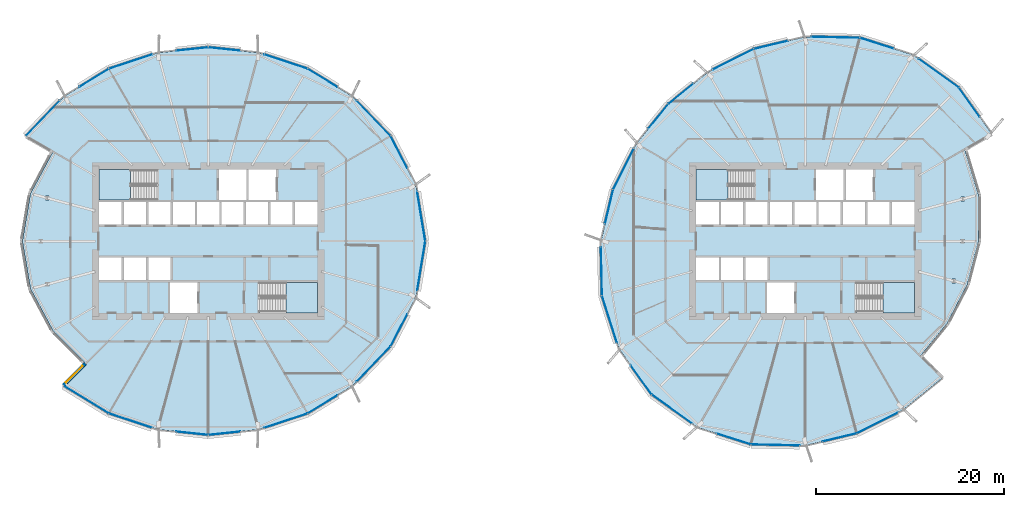
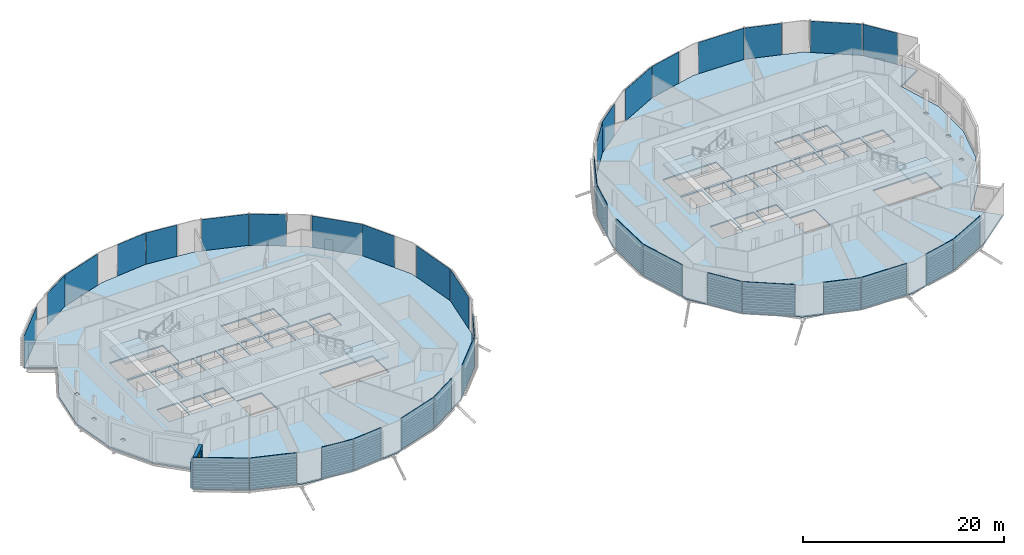
# One storey, part 19 of 38: 37 plates, 6 slabs, 1 wall, 1 window, 1 opening, 6 elements without a shape of their own.
"""IFC4 building model written with IfcOpenShell, lengths in metres."""

from ifc_helpers import new_model, si_unit, direction, frame, frame_2d, origin, origin_2d, place, context, subcontext, project, spatial, polyline, rectangle, outline, extrude, material, layer, layer_set, type_object, element, fill, aggregate, save


model = new_model("IFC4")

# Units and contexts
model_context = context("Model", 3, precision=1e-05, world=origin(), true_north=direction((0.0, 1.0)))
body_context = subcontext(model_context, "Body", "Model", "MODEL_VIEW")
ifc_project = project(units=[si_unit("LENGTHUNIT", "METRE"), si_unit("AREAUNIT", "SQUARE_METRE"), si_unit("VOLUMEUNIT", "CUBIC_METRE"), si_unit("PLANEANGLEUNIT", "RADIAN"), si_unit("MASSUNIT", "GRAM", prefix="KILO")], contexts=[model_context])

# Site, building, storey
site_placement = place(None, origin())
site = spatial("IfcSite", under=ifc_project, at=site_placement, CompositionType="ELEMENT")
building_placement = place(site_placement, origin())
building = spatial("IfcBuilding", under=site, at=building_placement, Name="Rimbun Link Towers", CompositionType="ELEMENT")
storey_placement = place(building_placement, frame((0.0, 0.0, 119.60009765625)))
storey = spatial("IfcBuildingStorey", under=building, at=storey_placement, Name="L29", CompositionType="ELEMENT", Elevation=119.60009765625)

# Slabs
ifc_material_1 = material(Name="Concrete C35/45", Category="concrete")
ifc_layer_1 = layer(ifc_material_1, 0.159912109375)
ifc_layer_set_1 = layer_set([ifc_layer_1], Name="COMPOSITE FLOOR 160")
slab_type_1 = type_object("IfcSlabType", Name="COMPOSITE FLOOR 160", PredefinedType="FLOOR", material=ifc_layer_set_1)
slab_1_placement = place(storey_placement, frame((0.0, 0.0, -0.16015625)))
element("IfcSlab", 1, at=slab_1_placement, inside=storey, type_object=slab_type_1, Name="Floor slab T1 L29", PredefinedType="FLOOR", context=body_context, shape_type="SweptSolid", body=[
    extrude(outline(polyline([(-47.115478515625, 15.365478515625), (-42.321044921875, 18.3095703125), (-37.117919921875, 20.03369140625), (-31.75, 20.59912109375), (-26.382080078125, 20.03369140625), (-21.178955078125, 18.3095703125), (-16.384521484375, 15.365478515625), (-12.37646484375, 11.185302734375), (-9.652587890625, 5.9208984375), (-8.678955078125, 0.0), (-9.652587890625, -5.9208984375), (-12.37646484375, -11.185302734375), (-16.384521484375, -15.365478515625), (-21.178955078125, -18.3095703125), (-26.382080078125, -20.03369140625), (-31.75, -20.59912109375), (-37.117919921875, -20.03369140625), (-42.321044921875, -18.3095703125), (-47.115478515625, -15.365478515625), (-44.7822265625, -13.0322265625), (-48.265625, -9.535400390625), (-50.659912109375, -5.06689453125), (-51.52099609375, 0.0), (-50.659912109375, 5.06689453125), (-48.265625, 9.535400390625), (-51.12353515625, 11.185302734375), (-47.115478515625, 15.365478515625)]), holes=[polyline([(-48.682861328125, -4.787353515625), (-48.682861328125, -4.393798828125), (-49.081787109375, -4.393798828125), (-49.081787109375, -4.787353515625), (-48.682861328125, -4.787353515625)]), polyline([(-40.95556640625, -4.14990234375), (-40.95556640625, -1.75), (-43.375, -1.75), (-43.375, -4.14990234375), (-40.95556640625, -4.14990234375)]), polyline([(-38.361083984375, -4.14990234375), (-38.361083984375, -1.75), (-40.70556640625, -1.75), (-40.70556640625, -4.14990234375), (-38.361083984375, -4.14990234375)]), polyline([(-38.111083984375, -4.14990234375), (-35.7666015625, -4.14990234375), (-35.7666015625, -1.75), (-38.111083984375, -1.75), (-38.111083984375, -4.14990234375)]), polyline([(-49.751708984375, -0.19677734375), (-49.352783203125, -0.19677734375), (-49.352783203125, 0.19677734375), (-49.751708984375, 0.19677734375), (-49.751708984375, -0.19677734375)]), polyline([(-40.95556640625, 1.75), (-40.95556640625, 4.14990234375), (-43.375, 4.14990234375), (-43.375, 1.75), (-40.95556640625, 1.75)]), polyline([(-38.361083984375, 1.75), (-38.361083984375, 4.14990234375), (-40.70556640625, 4.14990234375), (-40.70556640625, 1.75), (-38.361083984375, 1.75)]), polyline([(-35.7666015625, 1.75), (-35.7666015625, 4.14990234375), (-38.111083984375, 4.14990234375), (-38.111083984375, 1.75), (-35.7666015625, 1.75)]), polyline([(-49.081787109375, 4.393798828125), (-48.682861328125, 4.393798828125), (-48.682861328125, 4.787353515625), (-49.081787109375, 4.787353515625), (-49.081787109375, 4.393798828125)]), polyline([(-43.375, 4.39990234375), (-37.260009765625, 4.39990234375), (-37.260009765625, 7.625), (-43.375, 7.625), (-43.375, 4.39990234375)]), polyline([(-32.89990234375, -7.625), (-32.89990234375, -4.39990234375), (-35.800048828125, -4.39990234375), (-35.800048828125, -7.625), (-32.89990234375, -7.625)]), polyline([(-20.125, -7.625), (-20.125, -4.39990234375), (-26.239990234375, -4.39990234375), (-26.239990234375, -7.625), (-20.125, -7.625)]), polyline([(-33.172119140625, 1.75), (-33.172119140625, 4.14990234375), (-35.5166015625, 4.14990234375), (-35.5166015625, 1.75), (-33.172119140625, 1.75)]), polyline([(-32.922119140625, 1.75), (-30.577880859375, 1.75), (-30.577880859375, 4.14990234375), (-32.922119140625, 4.14990234375), (-32.922119140625, 1.75)]), polyline([(-30.327880859375, 1.75), (-27.9833984375, 1.75), (-27.9833984375, 4.14990234375), (-30.327880859375, 4.14990234375), (-30.327880859375, 1.75)]), polyline([(-25.388916015625, 1.75), (-25.388916015625, 4.14990234375), (-27.7333984375, 4.14990234375), (-27.7333984375, 1.75), (-25.388916015625, 1.75)]), polyline([(-22.79443359375, 1.75), (-22.79443359375, 4.14990234375), (-25.138916015625, 4.14990234375), (-25.138916015625, 1.75), (-22.79443359375, 1.75)]), polyline([(-20.125, 1.75), (-20.125, 4.14990234375), (-22.54443359375, 4.14990234375), (-22.54443359375, 1.75), (-20.125, 1.75)]), polyline([(-30.60009765625, 4.39990234375), (-27.699951171875, 4.39990234375), (-27.699951171875, 7.625), (-30.60009765625, 7.625), (-30.60009765625, 4.39990234375)]), polyline([(-27.449951171875, 4.39990234375), (-24.550048828125, 4.39990234375), (-24.550048828125, 7.625), (-27.449951171875, 7.625), (-27.449951171875, 4.39990234375)])]), origin(), (0.0, 0.0, 1.0), 0.16015625),
])
slab_2_placement = place(storey_placement, frame((0.0, 0.0, -0.16015625)))
element("IfcSlab", 2, at=slab_2_placement, inside=storey, type_object=slab_type_1, Name="Floor slab T2 L29", PredefinedType="FLOOR", context=body_context, shape_type="SweptSolid", body=[
    extrude(outline(polyline([(42.1201171875, -17.961669921875), (37.221923828125, -20.421630859375), (31.75, -21.730224609375), (25.960205078125, -21.6083984375), (20.3115234375, -19.81201171875), (15.436279296875, -16.313720703125), (11.93798828125, -11.4384765625), (10.1416015625, -5.789794921875), (10.019775390625, 0.0), (11.328369140625, 5.471923828125), (13.788330078125, 10.3701171875), (17.184326171875, 14.565673828125), (21.3798828125, 17.961669921875), (26.278076171875, 20.421630859375), (31.75, 21.730224609375), (37.539794921875, 21.6083984375), (43.1884765625, 19.81201171875), (48.063720703125, 16.313720703125), (51.56201171875, 11.4384765625), (48.7041015625, 9.788330078125), (50.170654296875, 4.935791015625), (50.180419921875, 0.0), (48.98388671875, -4.617919921875), (46.85400390625, -8.72021484375), (43.982421875, -12.232421875), (46.315673828125, -14.565673828125), (42.1201171875, -17.961669921875)]), holes=[polyline([(30.60009765625, -7.625), (30.60009765625, -4.39990234375), (27.699951171875, -4.39990234375), (27.699951171875, -7.625), (30.60009765625, -7.625)]), polyline([(22.54443359375, -4.14990234375), (22.54443359375, -1.75), (20.125, -1.75), (20.125, -4.14990234375), (22.54443359375, -4.14990234375)]), polyline([(25.138916015625, -4.14990234375), (25.138916015625, -1.75), (22.79443359375, -1.75), (22.79443359375, -4.14990234375), (25.138916015625, -4.14990234375)]), polyline([(25.388916015625, -4.14990234375), (27.7333984375, -4.14990234375), (27.7333984375, -1.75), (25.388916015625, -1.75), (25.388916015625, -4.14990234375)]), polyline([(20.125, 1.75), (22.54443359375, 1.75), (22.54443359375, 4.14990234375), (20.125, 4.14990234375), (20.125, 1.75)]), polyline([(25.138916015625, 1.75), (25.138916015625, 4.14990234375), (22.79443359375, 4.14990234375), (22.79443359375, 1.75), (25.138916015625, 1.75)]), polyline([(27.7333984375, 1.75), (27.7333984375, 4.14990234375), (25.388916015625, 4.14990234375), (25.388916015625, 1.75), (27.7333984375, 1.75)]), polyline([(30.327880859375, 1.75), (30.327880859375, 4.14990234375), (27.9833984375, 4.14990234375), (27.9833984375, 1.75), (30.327880859375, 1.75)]), polyline([(30.577880859375, 1.75), (32.922119140625, 1.75), (32.922119140625, 4.14990234375), (30.577880859375, 4.14990234375), (30.577880859375, 1.75)]), polyline([(20.125, 4.39990234375), (26.239990234375, 4.39990234375), (26.239990234375, 7.625), (20.125, 7.625), (20.125, 4.39990234375)]), polyline([(43.375, -7.625), (43.375, -4.39990234375), (37.260009765625, -4.39990234375), (37.260009765625, -7.625), (43.375, -7.625)]), polyline([(47.741455078125, -4.42822265625), (47.741455078125, -4.03466796875), (47.342529296875, -4.03466796875), (47.342529296875, -4.42822265625), (47.741455078125, -4.42822265625)]), polyline([(48.6748046875, -0.19677734375), (48.6748046875, 0.19677734375), (48.27587890625, 0.19677734375), (48.27587890625, -0.19677734375), (48.6748046875, -0.19677734375)]), polyline([(33.172119140625, 1.75), (35.5166015625, 1.75), (35.5166015625, 4.14990234375), (33.172119140625, 4.14990234375), (33.172119140625, 1.75)]), polyline([(35.7666015625, 1.75), (38.111083984375, 1.75), (38.111083984375, 4.14990234375), (35.7666015625, 4.14990234375), (35.7666015625, 1.75)]), polyline([(40.70556640625, 1.75), (40.70556640625, 4.14990234375), (38.361083984375, 4.14990234375), (38.361083984375, 1.75), (40.70556640625, 1.75)]), polyline([(43.375, 1.75), (43.375, 4.14990234375), (40.95556640625, 4.14990234375), (40.95556640625, 1.75), (43.375, 1.75)]), polyline([(48.688720703125, 4.28857421875), (48.688720703125, 4.68212890625), (48.289794921875, 4.68212890625), (48.289794921875, 4.28857421875), (48.688720703125, 4.28857421875)]), polyline([(32.89990234375, 4.39990234375), (35.800048828125, 4.39990234375), (35.800048828125, 7.625), (32.89990234375, 7.625), (32.89990234375, 4.39990234375)]), polyline([(36.050048828125, 4.39990234375), (38.949951171875, 4.39990234375), (38.949951171875, 7.625), (36.050048828125, 7.625), (36.050048828125, 4.39990234375)])]), origin(), (0.0, 0.0, 1.0), 0.16015625),
])

# Curtain wall, plates
ifc_material_2 = material(Name="Aluminium 6063-T6 and low-iron glass", Category="aluminium")
curtain_wall_type = type_object("IfcCurtainWallType", Name="CW1-Z2 unitised vision wall (zone 2)", PredefinedType="NOTDEFINED", material=ifc_material_2)
curtain_wall_1_placement = place(storey_placement, origin())
curtain_wall_1 = element("IfcCurtainWall", 3, at=curtain_wall_1_placement, inside=storey, type_object=curtain_wall_type, Name="CW1 L29 T1", PredefinedType="NOTDEFINED")
ifc_material_3 = material(Name="Low-iron glass, laminated low-e unit", Category="glass")
ifc_layer_2 = layer(ifc_material_3, 0.028076171875)
ifc_layer_set_2 = layer_set([ifc_layer_2], Name="CW1 panel Low-iron glass 28")
plate_type = type_object("IfcPlateType", Name="CW1 panel Low-iron glass 28", PredefinedType="CURTAIN_PANEL", material=ifc_layer_set_2)
plate_1_placement = place(storey_placement, frame((-9.099365234375, 2.64208984375, 0.0), z_axis=(0.0, 0.0, 1.0), x_axis=(0.162269061749, -0.986746548815, 0.0)))
plate_1 = element("IfcPlate", 4, at=plate_1_placement, type_object=plate_type, Name="CW1 panel", PredefinedType="CURTAIN_PANEL", context=body_context, shape_type="SweptSolid", body=[
    extrude(rectangle(XDim=5.310546875, YDim=0.028076171875, at=origin_2d()), origin(), (0.0, 0.0, 1.0), 3.800048828125),
])
plate_2_placement = place(storey_placement, frame((-11.47314453125, 9.469970703125, 0.0), z_axis=(0.0, 0.0, 1.0), x_axis=(0.459540871589, -0.888156623203, 0.0)))
plate_2 = element("IfcPlate", 5, at=plate_2_placement, type_object=plate_type, Name="CW1 panel", PredefinedType="CURTAIN_PANEL", context=body_context, shape_type="SweptSolid", body=[
    extrude(rectangle(XDim=3.837158203125, YDim=0.028076171875, at=origin_2d()), origin(), (0.0, 0.0, 1.0), 3.800048828125),
])
plate_3_placement = place(storey_placement, frame((-14.162841796875, 13.068603515625, 0.0), z_axis=(0.0, 0.0, 1.0), x_axis=(0.692065488922, -0.721834717261, 0.0)))
plate_3 = element("IfcPlate", 6, at=plate_3_placement, type_object=plate_type, Name="CW1 panel", PredefinedType="CURTAIN_PANEL", context=body_context, shape_type="SweptSolid", body=[
    extrude(rectangle(XDim=5.151123046875, YDim=0.028076171875, at=origin_2d()), origin(), (0.0, 0.0, 1.0), 3.800048828125),
])
plate_4_placement = place(storey_placement, frame((-19.583984375, 17.3466796875, 0.0), z_axis=(0.0, 0.0, 1.0), x_axis=(0.852183322336, -0.523243332621, 0.0)))
plate_4 = element("IfcPlate", 7, at=plate_4_placement, type_object=plate_type, Name="CW1 panel", PredefinedType="CURTAIN_PANEL", context=body_context, shape_type="SweptSolid", body=[
    extrude(rectangle(XDim=3.686279296875, YDim=0.028076171875, at=origin_2d()), origin(), (0.0, 0.0, 1.0), 3.800048828125),
])
plate_5_placement = place(storey_placement, frame((-23.4912109375, 19.090576171875, 0.0), z_axis=(0.0, 0.0, 1.0), x_axis=(0.949236457235, -0.314563424855, 0.0)))
plate_5 = element("IfcPlate", 8, at=plate_5_placement, type_object=plate_type, Name="CW1 panel", PredefinedType="CURTAIN_PANEL", context=body_context, shape_type="SweptSolid", body=[
    extrude(rectangle(XDim=4.84130859375, YDim=0.028076171875, at=origin_2d()), origin(), (0.0, 0.0, 1.0), 3.800048828125),
])
plate_6_placement = place(storey_placement, frame((-30.0341796875, 20.432373046875, 0.0), z_axis=(0.0, 0.0, 1.0), x_axis=(0.994498750915, -0.104748434017, 0.0)))
plate_6 = element("IfcPlate", 9, at=plate_6_placement, type_object=plate_type, Name="CW1 panel", PredefinedType="CURTAIN_PANEL", context=body_context, shape_type="SweptSolid", body=[
    extrude(rectangle(XDim=3.40771484375, YDim=0.028076171875, at=origin_2d()), origin(), (0.0, 0.0, 1.0), 3.800048828125),
])
plate_7_placement = place(storey_placement, frame((-33.4658203125, 20.432373046875, 0.0), z_axis=(0.0, 0.0, 1.0), x_axis=(0.994498750915, 0.104748434017, 0.0)))
plate_7 = element("IfcPlate", 10, at=plate_7_placement, type_object=plate_type, Name="CW1 panel", PredefinedType="CURTAIN_PANEL", context=body_context, shape_type="SweptSolid", body=[
    extrude(rectangle(XDim=3.40771484375, YDim=0.028076171875, at=origin_2d()), origin(), (0.0, 0.0, 1.0), 3.800048828125),
])
plate_8_placement = place(storey_placement, frame((-40.0087890625, 19.090576171875, 0.0), z_axis=(0.0, 0.0, 1.0), x_axis=(0.949236457235, 0.314563424855, 0.0)))
plate_8 = element("IfcPlate", 11, at=plate_8_placement, type_object=plate_type, Name="CW1 panel", PredefinedType="CURTAIN_PANEL", context=body_context, shape_type="SweptSolid", body=[
    extrude(rectangle(XDim=4.84130859375, YDim=0.028076171875, at=origin_2d()), origin(), (0.0, 0.0, 1.0), 3.800048828125),
])
plate_9_placement = place(storey_placement, frame((-43.894775390625, 17.359619140625, 0.0), z_axis=(0.0, 0.0, 1.0), x_axis=(0.852183322336, 0.523243332621, 0.0)))
plate_9 = element("IfcPlate", 12, at=plate_9_placement, type_object=plate_type, Name="CW1 panel", PredefinedType="CURTAIN_PANEL", context=body_context, shape_type="SweptSolid", body=[
    extrude(rectangle(XDim=3.63623046875, YDim=0.028076171875, at=origin_2d()), origin(), (0.0, 0.0, 1.0), 3.800048828125),
])
plate_10_placement = place(storey_placement, frame((-49.337158203125, 13.068603515625, 0.0), z_axis=(0.0, 0.0, 1.0), x_axis=(0.692065488922, 0.721834717261, 0.0)))
plate_10 = element("IfcPlate", 13, at=plate_10_placement, type_object=plate_type, Name="CW1 panel", PredefinedType="CURTAIN_PANEL", context=body_context, shape_type="SweptSolid", body=[
    extrude(rectangle(XDim=5.151123046875, YDim=0.028076171875, at=origin_2d()), origin(), (0.0, 0.0, 1.0), 3.800048828125),
])
plate_11_placement = place(storey_placement, frame((-44.7255859375, -16.849365234375, 0.0), z_axis=(0.0, 0.0, 1.0), x_axis=(-0.852183322336, 0.523243332621, 0.0)))
plate_11 = element("IfcPlate", 14, at=plate_11_placement, type_object=plate_type, Name="CW1 panel", PredefinedType="CURTAIN_PANEL", context=body_context, shape_type="SweptSolid", body=[
    extrude(rectangle(XDim=5.586181640625, YDim=0.028076171875, at=origin_2d()), origin(), (0.0, 0.0, 1.0), 3.800048828125),
])
plate_12_placement = place(storey_placement, frame((-40.032470703125, -19.082763671875, 0.0), z_axis=(0.0, 0.0, 1.0), x_axis=(-0.949236457235, 0.314563424855, 0.0)))
plate_12 = element("IfcPlate", 15, at=plate_12_placement, type_object=plate_type, Name="CW1 panel", PredefinedType="CURTAIN_PANEL", context=body_context, shape_type="SweptSolid", body=[
    extrude(rectangle(XDim=4.791259765625, YDim=0.028076171875, at=origin_2d()), origin(), (0.0, 0.0, 1.0), 3.800048828125),
])
plate_13_placement = place(storey_placement, frame((-33.4658203125, -20.432373046875, 0.0), z_axis=(0.0, 0.0, 1.0), x_axis=(-0.994498750915, 0.104748434017, 0.0)))
plate_13 = element("IfcPlate", 16, at=plate_13_placement, type_object=plate_type, Name="CW1 panel", PredefinedType="CURTAIN_PANEL", context=body_context, shape_type="SweptSolid", body=[
    extrude(rectangle(XDim=3.40771484375, YDim=0.028076171875, at=origin_2d()), origin(), (0.0, 0.0, 1.0), 3.800048828125),
])
plate_14_placement = place(storey_placement, frame((-30.0341796875, -20.432373046875, 0.0), z_axis=(0.0, 0.0, 1.0), x_axis=(-0.994498750915, -0.104748434017, 0.0)))
plate_14 = element("IfcPlate", 17, at=plate_14_placement, type_object=plate_type, Name="CW1 panel", PredefinedType="CURTAIN_PANEL", context=body_context, shape_type="SweptSolid", body=[
    extrude(rectangle(XDim=3.40771484375, YDim=0.028076171875, at=origin_2d()), origin(), (0.0, 0.0, 1.0), 3.800048828125),
])
plate_15_placement = place(storey_placement, frame((-23.4912109375, -19.090576171875, 0.0), z_axis=(0.0, 0.0, 1.0), x_axis=(-0.949236457235, -0.314563424855, 0.0)))
plate_15 = element("IfcPlate", 18, at=plate_15_placement, type_object=plate_type, Name="CW1 panel", PredefinedType="CURTAIN_PANEL", context=body_context, shape_type="SweptSolid", body=[
    extrude(rectangle(XDim=4.84130859375, YDim=0.028076171875, at=origin_2d()), origin(), (0.0, 0.0, 1.0), 3.800048828125),
])
plate_16_placement = place(storey_placement, frame((-19.583984375, -17.3466796875, 0.0), z_axis=(0.0, 0.0, 1.0), x_axis=(-0.852183322336, -0.523243332621, 0.0)))
plate_16 = element("IfcPlate", 19, at=plate_16_placement, type_object=plate_type, Name="CW1 panel", PredefinedType="CURTAIN_PANEL", context=body_context, shape_type="SweptSolid", body=[
    extrude(rectangle(XDim=3.686279296875, YDim=0.028076171875, at=origin_2d()), origin(), (0.0, 0.0, 1.0), 3.800048828125),
])
plate_17_placement = place(storey_placement, frame((-14.162841796875, -13.068603515625, 0.0), z_axis=(0.0, 0.0, 1.0), x_axis=(-0.692065488922, -0.721834717261, 0.0)))
plate_17 = element("IfcPlate", 20, at=plate_17_placement, type_object=plate_type, Name="CW1 panel", PredefinedType="CURTAIN_PANEL", context=body_context, shape_type="SweptSolid", body=[
    extrude(rectangle(XDim=5.151123046875, YDim=0.028076171875, at=origin_2d()), origin(), (0.0, 0.0, 1.0), 3.800048828125),
])
plate_18_placement = place(storey_placement, frame((-11.47314453125, -9.469970703125, 0.0), z_axis=(0.0, 0.0, 1.0), x_axis=(-0.459540871589, -0.888156623203, 0.0)))
plate_18 = element("IfcPlate", 21, at=plate_18_placement, type_object=plate_type, Name="CW1 panel", PredefinedType="CURTAIN_PANEL", context=body_context, shape_type="SweptSolid", body=[
    extrude(rectangle(XDim=3.837158203125, YDim=0.028076171875, at=origin_2d()), origin(), (0.0, 0.0, 1.0), 3.800048828125),
])
plate_19_placement = place(storey_placement, frame((-9.099365234375, -2.64208984375, 0.0), z_axis=(0.0, 0.0, 1.0), x_axis=(-0.162269061749, -0.986746548815, 0.0)))
plate_19 = element("IfcPlate", 22, at=plate_19_placement, type_object=plate_type, Name="CW1 panel", PredefinedType="CURTAIN_PANEL", context=body_context, shape_type="SweptSolid", body=[
    extrude(rectangle(XDim=5.310546875, YDim=0.028076171875, at=origin_2d()), origin(), (0.0, 0.0, 1.0), 3.800048828125),
])
aggregate(curtain_wall_1, [plate_1, plate_2, plate_3, plate_4, plate_5, plate_6, plate_7, plate_8, plate_9, plate_10, plate_11, plate_12, plate_13, plate_14, plate_15, plate_16, plate_17, plate_18, plate_19])

curtain_wall_2_placement = place(storey_placement, origin())
curtain_wall_2 = element("IfcCurtainWall", 23, at=curtain_wall_2_placement, inside=storey, type_object=curtain_wall_type, Name="CW1 L29 T2", PredefinedType="NOTDEFINED")
plate_20_placement = place(storey_placement, frame((45.938720703125, 17.85546875, 0.0), z_axis=(0.0, 0.0, 1.0), x_axis=(0.812469264421, -0.583004026034, 0.0)))
plate_20 = element("IfcPlate", 24, at=plate_20_placement, type_object=plate_type, Name="CW1 panel", PredefinedType="CURTAIN_PANEL", context=body_context, shape_type="SweptSolid", body=[
    extrude(rectangle(XDim=5.21044921875, YDim=0.028076171875, at=origin_2d()), origin(), (0.0, 0.0, 1.0), 3.800048828125),
])
plate_21_placement = place(storey_placement, frame((39.36767578125, 21.041748046875, 0.0), z_axis=(0.0, 0.0, 1.0), x_axis=(0.952967205153, -0.303073433186, 0.0)))
plate_21 = element("IfcPlate", 25, at=plate_21_placement, type_object=plate_type, Name="CW1 panel", PredefinedType="CURTAIN_PANEL", context=body_context, shape_type="SweptSolid", body=[
    extrude(rectangle(XDim=3.787353515625, YDim=0.028076171875, at=origin_2d()), origin(), (0.0, 0.0, 1.0), 3.800048828125),
])
plate_22_placement = place(storey_placement, frame((34.945068359375, 21.677001953125, 0.0), z_axis=(0.0, 0.0, 1.0), x_axis=(0.999778076675, -0.02106649948, 0.0)))
plate_22 = element("IfcPlate", 26, at=plate_22_placement, type_object=plate_type, Name="CW1 panel", PredefinedType="CURTAIN_PANEL", context=body_context, shape_type="SweptSolid", body=[
    extrude(rectangle(XDim=5.151123046875, YDim=0.028076171875, at=origin_2d()), origin(), (0.0, 0.0, 1.0), 3.800048828125),
])
plate_23_placement = place(storey_placement, frame((28.0869140625, 20.86865234375, 0.0), z_axis=(0.0, 0.0, 1.0), x_axis=(0.972571724543, 0.232603182737, 0.0)))
plate_23 = element("IfcPlate", 27, at=plate_23_placement, type_object=plate_type, Name="CW1 panel", PredefinedType="CURTAIN_PANEL", context=body_context, shape_type="SweptSolid", body=[
    extrude(rectangle(XDim=3.686279296875, YDim=0.028076171875, at=origin_2d()), origin(), (0.0, 0.0, 1.0), 3.800048828125),
])
plate_24_placement = place(storey_placement, frame((24.0908203125, 19.3388671875, 0.0), z_axis=(0.0, 0.0, 1.0), x_axis=(0.893637652343, 0.448789200311, 0.0)))
plate_24 = element("IfcPlate", 28, at=plate_24_placement, type_object=plate_type, Name="CW1 panel", PredefinedType="CURTAIN_PANEL", context=body_context, shape_type="SweptSolid", body=[
    extrude(rectangle(XDim=4.84130859375, YDim=0.028076171875, at=origin_2d()), origin(), (0.0, 0.0, 1.0), 3.800048828125),
])
plate_25_placement = place(storey_placement, frame((18.515380859375, 15.6611328125, 0.0), z_axis=(0.0, 0.0, 1.0), x_axis=(0.777277227517, 0.62915825639, 0.0)))
plate_25 = element("IfcPlate", 29, at=plate_25_placement, type_object=plate_type, Name="CW1 panel", PredefinedType="CURTAIN_PANEL", context=body_context, shape_type="SweptSolid", body=[
    extrude(rectangle(XDim=3.40771484375, YDim=0.028076171875, at=origin_2d()), origin(), (0.0, 0.0, 1.0), 3.800048828125),
])
plate_26_placement = place(storey_placement, frame((16.1044921875, 13.254150390625, 0.0), z_axis=(0.0, 0.0, 1.0), x_axis=(0.62915825639, 0.777277227517, 0.0)))
plate_26 = element("IfcPlate", 30, at=plate_26_placement, type_object=plate_type, Name="CW1 panel", PredefinedType="CURTAIN_PANEL", context=body_context, shape_type="SweptSolid", body=[
    extrude(rectangle(XDim=3.357666015625, YDim=0.028076171875, at=origin_2d()), origin(), (0.0, 0.0, 1.0), 3.800048828125),
])
plate_27_placement = place(storey_placement, frame((12.4111328125, 7.6591796875, 0.0), z_axis=(0.0, 0.0, 1.0), x_axis=(0.448789200311, 0.893637652343, 0.0)))
plate_27 = element("IfcPlate", 31, at=plate_27_placement, type_object=plate_type, Name="CW1 panel", PredefinedType="CURTAIN_PANEL", context=body_context, shape_type="SweptSolid", body=[
    extrude(rectangle(XDim=4.84130859375, YDim=0.028076171875, at=origin_2d()), origin(), (0.0, 0.0, 1.0), 3.800048828125),
])
plate_28_placement = place(storey_placement, frame((10.88134765625, 3.6630859375, 0.0), z_axis=(0.0, 0.0, 1.0), x_axis=(0.232603182737, 0.972571724543, 0.0)))
plate_28 = element("IfcPlate", 32, at=plate_28_placement, type_object=plate_type, Name="CW1 panel", PredefinedType="CURTAIN_PANEL", context=body_context, shape_type="SweptSolid", body=[
    extrude(rectangle(XDim=3.686279296875, YDim=0.028076171875, at=origin_2d()), origin(), (0.0, 0.0, 1.0), 3.800048828125),
])
plate_29_placement = place(storey_placement, frame((10.072998046875, -3.195068359375, 0.0), z_axis=(0.0, 0.0, 1.0), x_axis=(-0.02106649948, 0.999778076675, 0.0)))
plate_29 = element("IfcPlate", 33, at=plate_29_placement, type_object=plate_type, Name="CW1 panel", PredefinedType="CURTAIN_PANEL", context=body_context, shape_type="SweptSolid", body=[
    extrude(rectangle(XDim=5.151123046875, YDim=0.028076171875, at=origin_2d()), origin(), (0.0, 0.0, 1.0), 3.800048828125),
])
plate_30_placement = place(storey_placement, frame((10.927978515625, -8.30859375, 0.0), z_axis=(0.0, 0.0, 1.0), x_axis=(-0.303073433186, 0.952967205153, 0.0)))
plate_30 = element("IfcPlate", 34, at=plate_30_placement, type_object=plate_type, Name="CW1 panel", PredefinedType="CURTAIN_PANEL", context=body_context, shape_type="SweptSolid", body=[
    extrude(rectangle(XDim=5.2373046875, YDim=0.028076171875, at=origin_2d()), origin(), (0.0, 0.0, 1.0), 3.800048828125),
])
plate_31_placement = place(storey_placement, frame((14.317138671875, -14.77783203125, 0.0), z_axis=(0.0, 0.0, 1.0), x_axis=(-0.583004026034, 0.812469264421, 0.0)))
plate_31 = element("IfcPlate", 35, at=plate_31_placement, type_object=plate_type, Name="CW1 panel", PredefinedType="CURTAIN_PANEL", context=body_context, shape_type="SweptSolid", body=[
    extrude(rectangle(XDim=3.760498046875, YDim=0.028076171875, at=origin_2d()), origin(), (0.0, 0.0, 1.0), 3.800048828125),
])
plate_32_placement = place(storey_placement, frame((17.561279296875, -17.85546875, 0.0), z_axis=(0.0, 0.0, 1.0), x_axis=(-0.812469264421, 0.583004026034, 0.0)))
plate_32 = element("IfcPlate", 36, at=plate_32_placement, type_object=plate_type, Name="CW1 panel", PredefinedType="CURTAIN_PANEL", context=body_context, shape_type="SweptSolid", body=[
    extrude(rectangle(XDim=5.21044921875, YDim=0.028076171875, at=origin_2d()), origin(), (0.0, 0.0, 1.0), 3.800048828125),
])
plate_33_placement = place(storey_placement, frame((24.13232421875, -21.041748046875, 0.0), z_axis=(0.0, 0.0, 1.0), x_axis=(-0.952967205153, 0.303073433186, 0.0)))
plate_33 = element("IfcPlate", 37, at=plate_33_placement, type_object=plate_type, Name="CW1 panel", PredefinedType="CURTAIN_PANEL", context=body_context, shape_type="SweptSolid", body=[
    extrude(rectangle(XDim=3.787353515625, YDim=0.028076171875, at=origin_2d()), origin(), (0.0, 0.0, 1.0), 3.800048828125),
])
plate_34_placement = place(storey_placement, frame((28.554931640625, -21.677001953125, 0.0), z_axis=(0.0, 0.0, 1.0), x_axis=(-0.999778076675, 0.02106649948, 0.0)))
plate_34 = element("IfcPlate", 38, at=plate_34_placement, type_object=plate_type, Name="CW1 panel", PredefinedType="CURTAIN_PANEL", context=body_context, shape_type="SweptSolid", body=[
    extrude(rectangle(XDim=5.151123046875, YDim=0.028076171875, at=origin_2d()), origin(), (0.0, 0.0, 1.0), 3.800048828125),
])
plate_35_placement = place(storey_placement, frame((35.4130859375, -20.86865234375, 0.0), z_axis=(0.0, 0.0, 1.0), x_axis=(-0.972571724543, -0.232603182737, 0.0)))
plate_35 = element("IfcPlate", 39, at=plate_35_placement, type_object=plate_type, Name="CW1 panel", PredefinedType="CURTAIN_PANEL", context=body_context, shape_type="SweptSolid", body=[
    extrude(rectangle(XDim=3.686279296875, YDim=0.028076171875, at=origin_2d()), origin(), (0.0, 0.0, 1.0), 3.800048828125),
])
plate_36_placement = place(storey_placement, frame((39.4091796875, -19.3388671875, 0.0), z_axis=(0.0, 0.0, 1.0), x_axis=(-0.893637652343, -0.448789200311, 0.0)))
plate_36 = element("IfcPlate", 40, at=plate_36_placement, type_object=plate_type, Name="CW1 panel", PredefinedType="CURTAIN_PANEL", context=body_context, shape_type="SweptSolid", body=[
    extrude(rectangle(XDim=4.84130859375, YDim=0.028076171875, at=origin_2d()), origin(), (0.0, 0.0, 1.0), 3.800048828125),
])
plate_37_placement = place(storey_placement, frame((49.182861328125, 14.77783203125, 0.0), z_axis=(0.0, 0.0, 1.0), x_axis=(0.583004026034, -0.812469264421, 0.0)))
plate_37 = element("IfcPlate", 41, at=plate_37_placement, type_object=plate_type, Name="CW1 panel", PredefinedType="CURTAIN_PANEL", context=body_context, shape_type="SweptSolid", body=[
    extrude(rectangle(XDim=3.760498046875, YDim=0.028076171875, at=origin_2d()), origin(), (0.0, 0.0, 1.0), 3.800048828125),
])
aggregate(curtain_wall_2, [plate_20, plate_21, plate_22, plate_23, plate_24, plate_25, plate_26, plate_27, plate_28, plate_29, plate_30, plate_31, plate_32, plate_33, plate_34, plate_35, plate_36, plate_37])

# Stair, slab
ifc_material_4 = material(Name="Concrete C40/50", Category="concrete")
stair_type = type_object("IfcStairType", Name="Exit stair 3800 rise", PredefinedType="HALF_TURN_STAIR", material=ifc_material_4)
stair_1_placement = place(storey_placement, origin())
stair_1 = element("IfcStair", 42, at=stair_1_placement, inside=storey, type_object=stair_type, Name="L29 EXIT STAIR A", PredefinedType="HALF_TURN_STAIR")
ifc_material_5 = material(Name="Concrete C40/50", Category="concrete")
ifc_layer_3 = layer(ifc_material_5, 0.199951171875)
ifc_layer_set_3 = layer_set([ifc_layer_3], Name="Stair landing")
slab_type_2 = type_object("IfcSlabType", Name="Stair landing", PredefinedType="LANDING", material=ifc_layer_set_3)
slab_3_placement = place(storey_placement, frame((0.0, 0.0, 1.699951171875)))
slab_3 = element("IfcSlab", 43, at=slab_3_placement, type_object=slab_type_2, Name="ST1 landing 1", PredefinedType="LANDING", context=body_context, shape_type="SweptSolid", body=[
    extrude(outline(polyline([(-40.0, 7.625), (-43.375, 7.625), (-43.375, 4.39990234375), (-40.0, 4.39990234375), (-40.0, 7.625)])), origin(), (0.0, 0.0, 1.0), 0.199951171875),
])
aggregate(stair_1, [slab_3])

stair_2_placement = place(storey_placement, origin())
stair_2 = element("IfcStair", 44, at=stair_2_placement, inside=storey, type_object=stair_type, Name="L29 EXIT STAIR B", PredefinedType="HALF_TURN_STAIR")
slab_4_placement = place(storey_placement, frame((0.0, 0.0, 1.699951171875)))
slab_4 = element("IfcSlab", 45, at=slab_4_placement, type_object=slab_type_2, Name="ST2 landing 1", PredefinedType="LANDING", context=body_context, shape_type="SweptSolid", body=[
    extrude(outline(polyline([(-23.5, -7.625), (-20.125, -7.625), (-20.125, -4.39990234375), (-23.5, -4.39990234375), (-23.5, -7.625)])), origin(), (0.0, 0.0, 1.0), 0.199951171875),
])
aggregate(stair_2, [slab_4])

stair_3_placement = place(storey_placement, origin())
stair_3 = element("IfcStair", 46, at=stair_3_placement, inside=storey, type_object=stair_type, Name="L29 EXIT STAIR A", PredefinedType="HALF_TURN_STAIR")
slab_5_placement = place(storey_placement, frame((0.0, 0.0, 1.699951171875)))
slab_5 = element("IfcSlab", 47, at=slab_5_placement, type_object=slab_type_2, Name="ST3 landing 1", PredefinedType="LANDING", context=body_context, shape_type="SweptSolid", body=[
    extrude(outline(polyline([(23.5, 7.625), (20.125, 7.625), (20.125, 4.39990234375), (23.5, 4.39990234375), (23.5, 7.625)])), origin(), (0.0, 0.0, 1.0), 0.199951171875),
])
aggregate(stair_3, [slab_5])

stair_4_placement = place(storey_placement, origin())
stair_4 = element("IfcStair", 48, at=stair_4_placement, inside=storey, type_object=stair_type, Name="L29 EXIT STAIR B", PredefinedType="HALF_TURN_STAIR")
slab_6_placement = place(storey_placement, frame((0.0, 0.0, 1.699951171875)))
slab_6 = element("IfcSlab", 49, at=slab_6_placement, type_object=slab_type_2, Name="ST4 landing 1", PredefinedType="LANDING", context=body_context, shape_type="SweptSolid", body=[
    extrude(outline(polyline([(40.0, -7.625), (43.375, -7.625), (43.375, -4.39990234375), (40.0, -4.39990234375), (40.0, -7.625)])), origin(), (0.0, 0.0, 1.0), 0.199951171875),
])
aggregate(stair_4, [slab_6])

# Wall, opening, window
ifc_material_6 = material(Name="Dark enamelled glass spandrel on insulated aluminium backpan", Category="aluminium")
ifc_layer_4 = layer(ifc_material_6, 0.3701171875)
ifc_layer_set_4 = layer_set([ifc_layer_4], Name="CS dark enamelled spandrel wall 370")
wall_type = type_object("IfcWallType", Name="CS dark enamelled spandrel wall 370", PredefinedType="STANDARD", material=ifc_layer_set_4)
wall_placement = place(storey_placement, frame((-47.1474609375, -15.305419921875, 0.0), z_axis=(0.0, 0.0, 1.0), x_axis=(0.707143998312, 0.707069562102, 0.0)))
wall = element("IfcWall", 50, at=wall_placement, inside=storey, type_object=wall_type, Name="Crease spandrel wall", PredefinedType="STANDARD", context=body_context, shape_type="SweptSolid", body=[
    extrude(rectangle(XDim=3.27978515625, YDim=0.3701171875, at=frame_2d((1.639892578125, 0.0))), origin(), (0.0, 0.0, 1.0), 3.096923828125),
])
opening_placement = place(wall_placement, frame((0.389892578125, 0.0, 0.300048828125)))
opening = element("IfcOpeningElement", 51, at=opening_placement, cuts=wall, Name="Opening WR25H245", PredefinedType="OPENING", context=body_context, shape_type="SweptSolid", body=[
    extrude(rectangle(XDim=2.5, YDim=2.449951171875, at=frame_2d((1.25, 1.22509765625))), frame((0.0, 0.195068359375, 0.0), z_axis=(0.0, -1.0, 0.0), x_axis=(1.0, 0.0, 0.0)), (0.0, 0.0, 1.0), 0.39013671875),
])
ifc_material_7 = material(Name="Aluminium framed fixed window, dark tinted low-e glass", Category="aluminium")
window_type = type_object("IfcWindowType", Name="WR ribbon window 2500X2450", PartitioningType="SINGLE_PANEL", PredefinedType="WINDOW", material=ifc_material_7)
window_placement = place(opening_placement, origin())
window = element("IfcWindow", 52, at=window_placement, inside=storey, type_object=window_type, Name="Crease ribbon window", OverallHeight=2.449951171875, OverallWidth=2.5, PartitioningType="SINGLE_PANEL", PredefinedType="WINDOW", context=body_context, shape_type="SweptSolid", body=[
    extrude(rectangle(XDim=2.5, YDim=2.449951171875, at=frame_2d((1.25, 1.22509765625))), frame((0.0, 0.030029296875, 0.0), z_axis=(0.0, -1.0, 0.0), x_axis=(1.0, 0.0, 0.0)), (0.0, 0.0, 1.0), 0.06005859375),
])
fill(opening, window)

save(model, "model.ifc")
